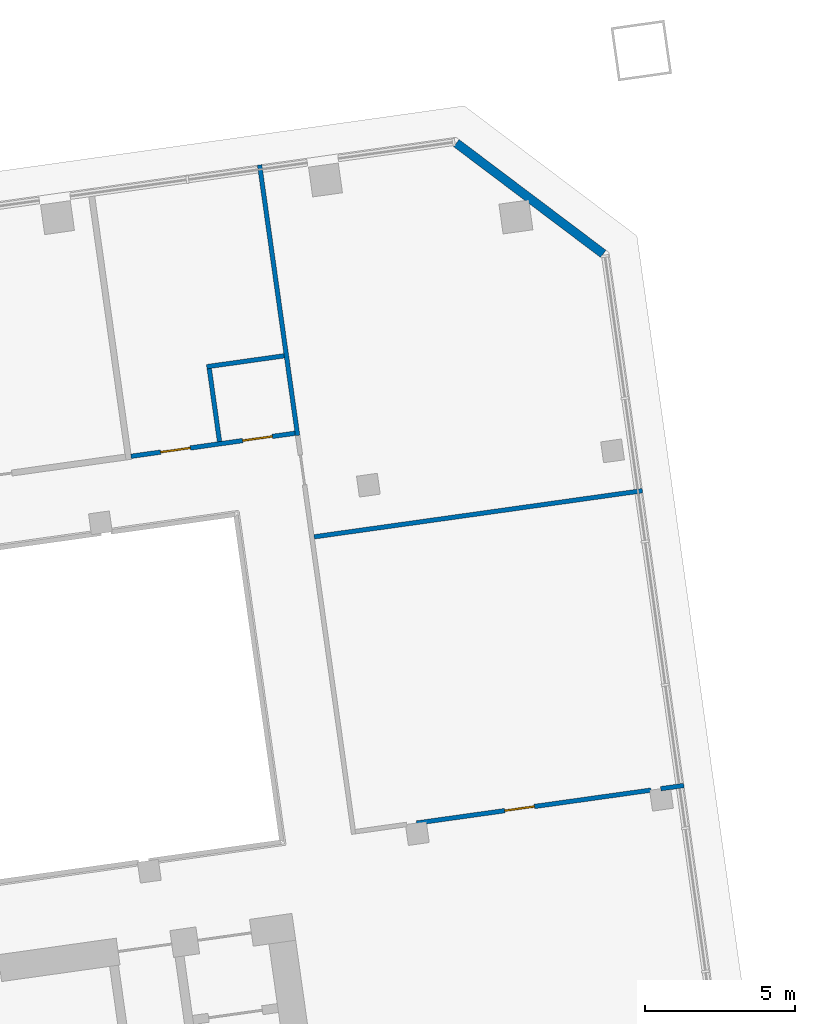
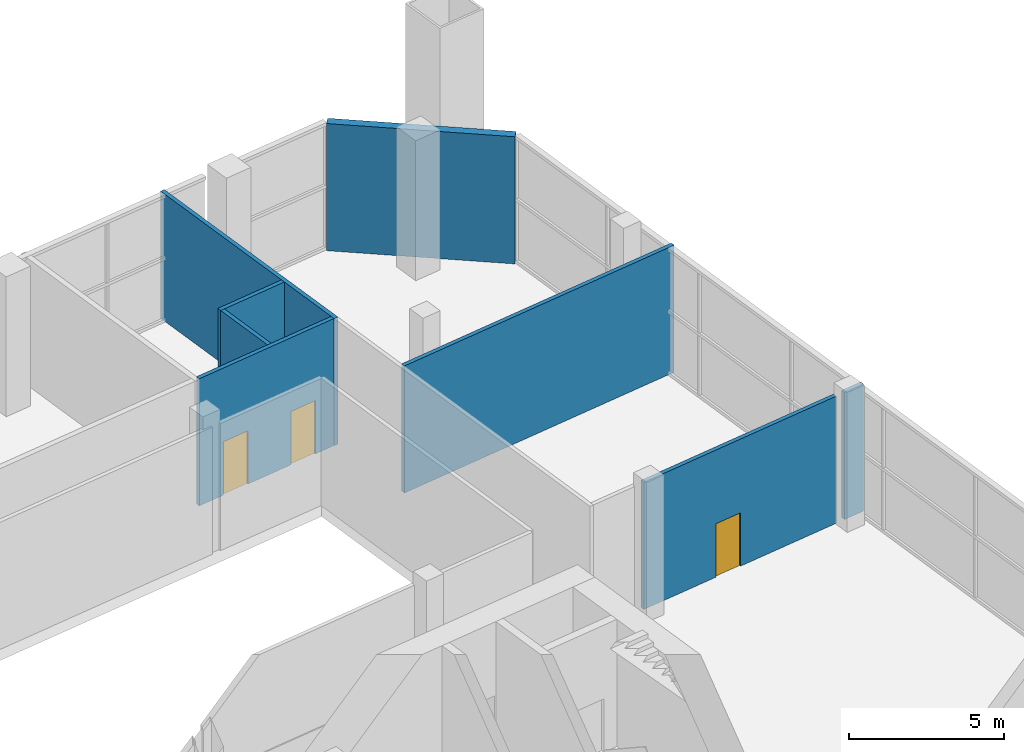
# One storey, part 18 of 23: 8 walls, 3 doors, 3 openings.
"""IFC4 building model written with IfcOpenShell, lengths in metres."""

from ifc_helpers import new_model, si_unit, direction, frame, frame_2d, origin, place, context, subcontext, project, spatial, rectangle, extrude, material, layer, layer_set, type_object, element, fill, save


model = new_model("IFC4")

# Units and contexts
model_context = context("Model", 3, precision=1e-05, world=origin(), true_north=direction((0.0, 1.0)))
body_context = subcontext(model_context, "Body", "Model", "MODEL_VIEW")
ifc_project = project(units=[si_unit("LENGTHUNIT", "METRE"), si_unit("AREAUNIT", "SQUARE_METRE"), si_unit("VOLUMEUNIT", "CUBIC_METRE"), si_unit("PLANEANGLEUNIT", "RADIAN"), si_unit("MASSUNIT", "GRAM", prefix="KILO")], contexts=[model_context])

# Site, building, storey
site_placement = place(None, origin())
site = spatial("IfcSite", under=ifc_project, at=site_placement, CompositionType="ELEMENT")
building_placement = place(site_placement, origin())
building = spatial("IfcBuilding", under=site, at=building_placement, Name="Mirante Cascada Hotel Towers", CompositionType="ELEMENT")
storey_placement = place(building_placement, frame((0.0, 0.0, 29.0)))
storey = spatial("IfcBuildingStorey", under=building, at=storey_placement, Name="L04", CompositionType="ELEMENT", Elevation=29.0)

# Wall, opening, door
ifc_material_1 = material(Name="Masonry block", Category="masonry")
ifc_layer_1 = layer(ifc_material_1, 0.15)
ifc_layer_set_1 = layer_set([ifc_layer_1], Name="Corridor wall 150 block")
wall_type_1 = type_object("IfcWallType", Name="Corridor wall 150 block", PredefinedType="PARTITIONING", material=ifc_layer_set_1)
wall_1_placement = place(storey_placement, frame((92.8842, 3.4044, 0.0), z_axis=(0.0, 0.0, 1.0), x_axis=(0.9902679, 0.1391746, 0.0)))
wall_1 = element("IfcWall", 1, at=wall_1_placement, inside=storey, type_object=wall_type_1, Name="Corridor wall T2 L04", PredefinedType="PARTITIONING", context=body_context, shape_type="SweptSolid", body=[
    extrude(rectangle(XDim=7.8714, YDim=0.15, at=frame_2d((3.9357, 0.0))), origin(), (0.0, 0.0, 1.0), 5.0),
])
opening_1_placement = place(wall_1_placement, frame((2.9582, 0.0, 0.0)))
opening_1 = element("IfcOpeningElement", 2, at=opening_1_placement, cuts=wall_1, Name="Opening DP2-L04-03", PredefinedType="OPENING", context=body_context, shape_type="SweptSolid", body=[
    extrude(rectangle(XDim=1.0, YDim=2.1, at=frame_2d((0.5, 1.05))), frame((0.0, 0.075, 0.0), z_axis=(0.0, -1.0, 0.0), x_axis=(1.0, 0.0, 0.0)), (0.0, 0.0, 1.0), 0.15),
])
ifc_material_2 = material(Name="Timber door leaf", Category="wood")
door_type = type_object("IfcDoorType", Name="Single door 1000x2100", OperationType="NOTDEFINED", PredefinedType="DOOR", material=ifc_material_2)
door_1_placement = place(opening_1_placement, origin())
door_1 = element("IfcDoor", 3, at=door_1_placement, inside=storey, type_object=door_type, Name="Door DP2-L04-03", OperationType="SINGLE_SWING_LEFT", OverallHeight=2.1, OverallWidth=1.0, PredefinedType="DOOR", context=body_context, shape_type="SweptSolid", body=[
    extrude(rectangle(XDim=1.0, YDim=2.1, at=frame_2d((0.5, 1.05))), frame((0.0, 0.025, 0.0), z_axis=(0.0, -1.0, 0.0), x_axis=(1.0, 0.0, 0.0)), (0.0, 0.0, 1.0), 0.05),
])
fill(opening_1, door_1)

# Walls
wall_2_placement = place(storey_placement, frame((101.0045, 4.5456, 0.0), z_axis=(0.0, 0.0, 1.0), x_axis=(0.9902566, 0.1392548, 0.0)))
element("IfcWall", 4, at=wall_2_placement, inside=storey, type_object=wall_type_1, Name="Corridor wall T2 L04", PredefinedType="PARTITIONING", context=body_context, shape_type="SweptSolid", body=[
    extrude(rectangle(XDim=0.7756, YDim=0.15, at=frame_2d((0.3878, 0.0))), origin(), (0.0, 0.0, 1.0), 5.0),
])
ifc_material_3 = material(Name="Masonry block", Category="masonry")
ifc_layer_2 = layer(ifc_material_3, 0.15)
ifc_layer_set_2 = layer_set([ifc_layer_2], Name="Partition 150 block")
wall_type_2 = type_object("IfcWallType", Name="Partition 150 block", PredefinedType="PARTITIONING", material=ifc_layer_set_2)
wall_3_placement = place(storey_placement, frame((89.477, 12.9228, 0.0), z_axis=(0.0, 0.0, 1.0), x_axis=(0.9902679, 0.1391746, 0.0)))
element("IfcWall", 5, at=wall_3_placement, inside=storey, type_object=wall_type_2, Name="Partition T2 L04", PredefinedType="PARTITIONING", context=body_context, shape_type="SweptSolid", body=[
    extrude(rectangle(XDim=11.025, YDim=0.15, at=frame_2d((5.5125, 0.0))), origin(), (0.0, 0.0, 1.0), 5.0),
])
ifc_material_4 = material(Name="Precast concrete C40/50", Category="concrete")
ifc_layer_3 = layer(ifc_material_4, 0.3)
ifc_layer_set_3 = layer_set([ifc_layer_3], Name="Precast concrete C40/50 cladding wall 300")
wall_type_3 = type_object("IfcWallType", Name="Precast concrete C40/50 cladding wall 300", PredefinedType="STANDARD", material=ifc_layer_set_3)
wall_4_placement = place(storey_placement, frame((99.0919, 22.3343, 0.0), z_axis=(0.0, 0.0, 1.0), x_axis=(-0.7986362, 0.6018141, 0.0)))
element("IfcWall", 6, at=wall_4_placement, inside=storey, type_object=wall_type_3, Name="Corner cladding wall T2 L04 outer front", PredefinedType="STANDARD", context=body_context, shape_type="SweptSolid", body=[
    extrude(rectangle(XDim=6.1157, YDim=0.3, at=frame_2d((3.0578, 0.0))), origin(), (0.0, 0.0, 1.0), 5.0),
])
ifc_material_5 = material(Name="Masonry block", Category="masonry")
ifc_layer_4 = layer(ifc_material_5, 0.15)
ifc_layer_set_4 = layer_set([ifc_layer_4], Name="Wet room wall 150 block")
wall_type_4 = type_object("IfcWallType", Name="Wet room wall 150 block", PredefinedType="PARTITIONING", material=ifc_layer_set_4)
wall_5_placement = place(storey_placement, frame((85.9895, 18.5169, 0.0), z_axis=(0.0, 0.0, 1.0), x_axis=(0.139181, -0.990267, 0.0)))
element("IfcWall", 7, at=wall_5_placement, inside=storey, type_object=wall_type_4, Name="Wet room wall T2 L04", PredefinedType="PARTITIONING", context=body_context, shape_type="SweptSolid", body=[
    extrude(rectangle(XDim=2.45, YDim=0.15, at=frame_2d((1.225, 0.0))), origin(), (0.0, 0.0, 1.0), 5.0),
])
wall_6_placement = place(storey_placement, frame((87.663, 25.2907, 0.0), z_axis=(0.0, 0.0, 1.0), x_axis=(0.1391742, -0.9902679, 0.0)))
element("IfcWall", 8, at=wall_6_placement, inside=storey, type_object=wall_type_4, Name="Wet room wall T2 L04", PredefinedType="PARTITIONING", context=body_context, shape_type="SweptSolid", body=[
    extrude(rectangle(XDim=9.085, YDim=0.15, at=frame_2d((4.5425, 0.0))), origin(), (0.0, 0.0, 1.0), 5.0),
])

# Wall, openings, doors
wall_7_placement = place(storey_placement, frame((83.3865, 15.6013, 0.0), z_axis=(0.0, 0.0, 1.0), x_axis=(0.9902686, 0.1391692, 0.0)))
wall_7 = element("IfcWall", 9, at=wall_7_placement, inside=storey, type_object=wall_type_4, Name="Wet room wall T2 L04", PredefinedType="PARTITIONING", context=body_context, shape_type="SweptSolid", body=[
    extrude(rectangle(XDim=5.5084, YDim=0.15, at=frame_2d((2.7542, 0.0))), origin(), (0.0, 0.0, 1.0), 5.0),
])
opening_2_placement = place(wall_7_placement, frame((0.9917, 0.0, 0.0)))
opening_2 = element("IfcOpeningElement", 10, at=opening_2_placement, cuts=wall_7, Name="Opening DP2-L04-10", PredefinedType="OPENING", context=body_context, shape_type="SweptSolid", body=[
    extrude(rectangle(XDim=1.0, YDim=2.1, at=frame_2d((0.5, 1.05))), frame((0.0, 0.075, 0.0), z_axis=(0.0, -1.0, 0.0), x_axis=(1.0, 0.0, 0.0)), (0.0, 0.0, 1.0), 0.15),
])
opening_3_placement = place(wall_7_placement, frame((3.7459, 0.0, 0.0)))
opening_3 = element("IfcOpeningElement", 11, at=opening_3_placement, cuts=wall_7, Name="Opening DP2-L04-11", PredefinedType="OPENING", context=body_context, shape_type="SweptSolid", body=[
    extrude(rectangle(XDim=1.0, YDim=2.1, at=frame_2d((0.5, 1.05))), frame((0.0, 0.075, 0.0), z_axis=(0.0, -1.0, 0.0), x_axis=(1.0, 0.0, 0.0)), (0.0, 0.0, 1.0), 0.15),
])
door_2_placement = place(opening_2_placement, origin())
door_2 = element("IfcDoor", 12, at=door_2_placement, inside=storey, type_object=door_type, Name="Door DP2-L04-10", OperationType="SINGLE_SWING_RIGHT", OverallHeight=2.1, OverallWidth=1.0, PredefinedType="DOOR", context=body_context, shape_type="SweptSolid", body=[
    extrude(rectangle(XDim=1.0, YDim=2.1, at=frame_2d((0.5, 1.05))), frame((0.0, 0.025, 0.0), z_axis=(0.0, -1.0, 0.0), x_axis=(1.0, 0.0, 0.0)), (0.0, 0.0, 1.0), 0.05),
])
fill(opening_2, door_2)
door_3_placement = place(opening_3_placement, origin())
door_3 = element("IfcDoor", 13, at=door_3_placement, inside=storey, type_object=door_type, Name="Door DP2-L04-11", OperationType="SINGLE_SWING_LEFT", OverallHeight=2.1, OverallWidth=1.0, PredefinedType="DOOR", context=body_context, shape_type="SweptSolid", body=[
    extrude(rectangle(XDim=1.0, YDim=2.1, at=frame_2d((0.5, 1.05))), frame((0.0, 0.025, 0.0), z_axis=(0.0, -1.0, 0.0), x_axis=(1.0, 0.0, 0.0)), (0.0, 0.0, 1.0), 0.05),
])
fill(opening_3, door_3)

# Wall
wall_8_placement = place(storey_placement, frame((85.9048, 18.5807, 0.0), z_axis=(0.0, 0.0, 1.0), x_axis=(0.9902654, 0.1391918, 0.0)))
element("IfcWall", 14, at=wall_8_placement, inside=storey, type_object=wall_type_4, Name="Wet room wall T2 L04", PredefinedType="PARTITIONING", context=body_context, shape_type="SweptSolid", body=[
    extrude(rectangle(XDim=2.6, YDim=0.15, at=frame_2d((1.3, 0.0))), origin(), (0.0, 0.0, 1.0), 5.0),
])

save(model, "model.ifc")
